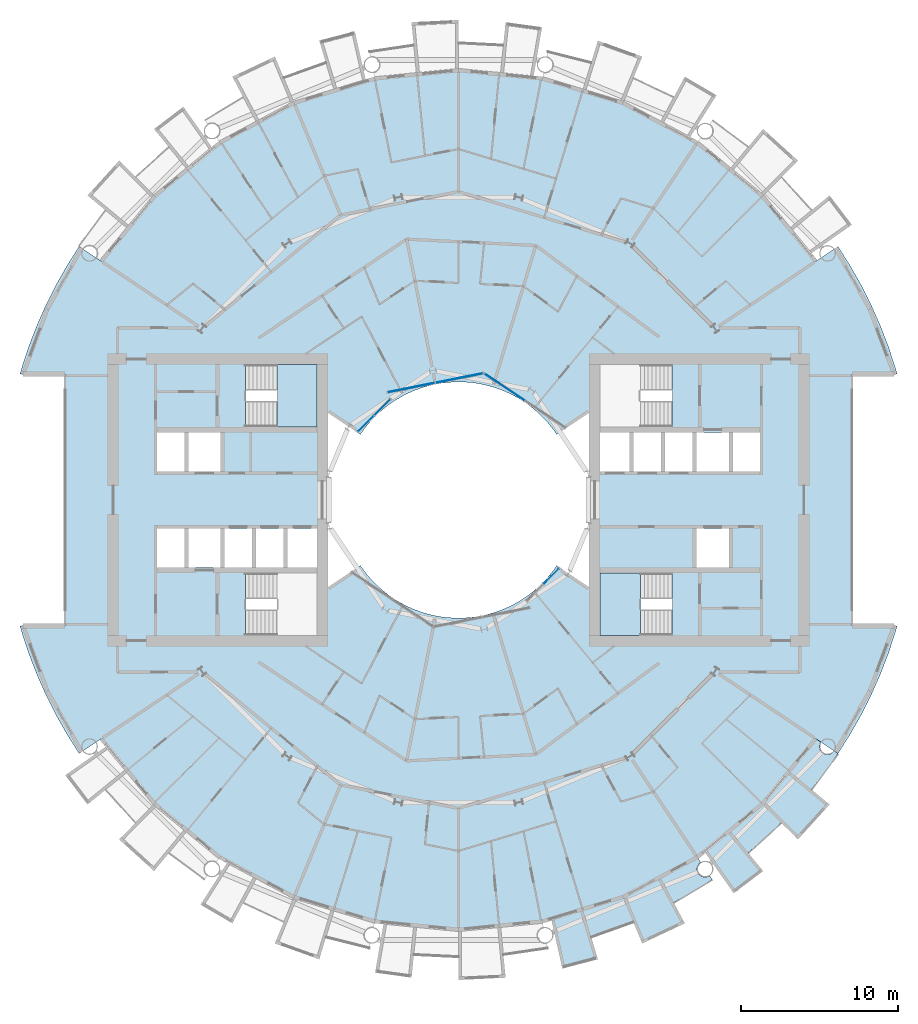
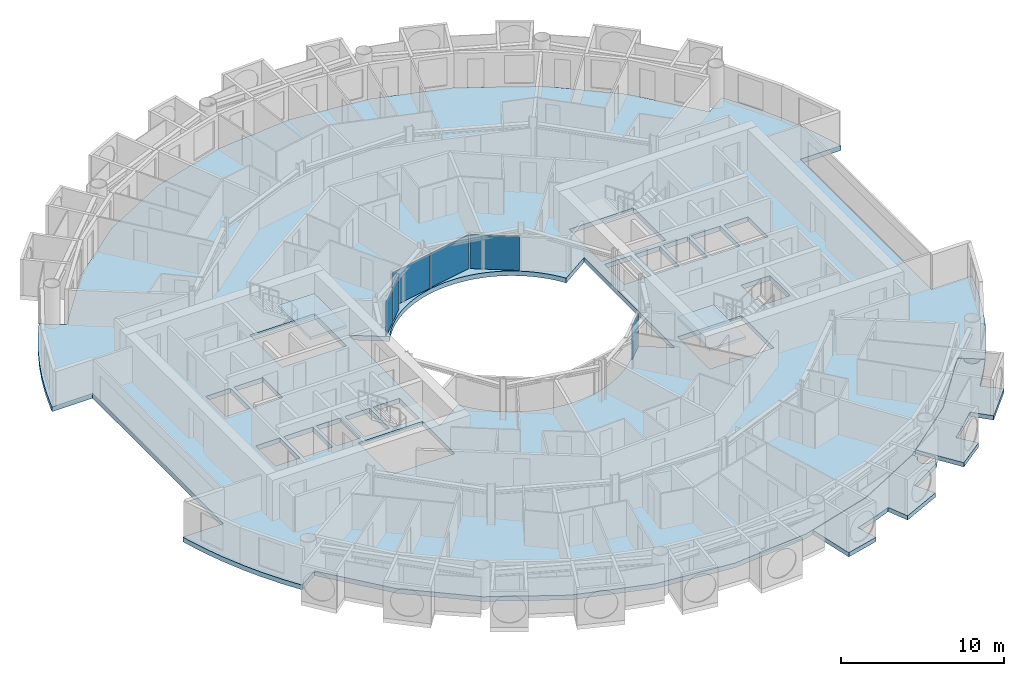
# One storey, part 10 of 25: 6 plates, 5 slabs, 6 elements without a shape of their own.
"""IFC4 building model written with IfcOpenShell, lengths in metres."""

from ifc_helpers import new_model, si_unit, direction, frame, origin, origin_2d, place, context, subcontext, project, spatial, polyline, rectangle, outline, extrude, material, layer, layer_set, type_object, element, aggregate, save


model = new_model("IFC4")

# Units and contexts
model_context = context("Model", 3, precision=1e-05, world=origin(), true_north=direction((0.0, 1.0)))
body_context = subcontext(model_context, "Body", "Model", "MODEL_VIEW")
ifc_project = project(units=[si_unit("LENGTHUNIT", "METRE"), si_unit("AREAUNIT", "SQUARE_METRE"), si_unit("VOLUMEUNIT", "CUBIC_METRE"), si_unit("PLANEANGLEUNIT", "RADIAN"), si_unit("MASSUNIT", "GRAM", prefix="KILO")], contexts=[model_context])

# Site, building, storey
site_placement = place(None, origin())
site = spatial("IfcSite", under=ifc_project, at=site_placement, CompositionType="ELEMENT")
building_placement = place(site_placement, origin())
building = spatial("IfcBuilding", under=site, at=building_placement, Name="Maasbend Ring Residences", CompositionType="ELEMENT")
storey_placement = place(building_placement, frame((0.0, 0.0, 94.10009765625)))
storey = spatial("IfcBuildingStorey", under=building, at=storey_placement, Name="L27", CompositionType="ELEMENT", Elevation=94.10009765625)

# Stair, slab
ifc_material_1 = material(Name="Concrete C40/50", Category="concrete")
stair_type = type_object("IfcStairType", Name="CORE STAIR 18 RISERS", PredefinedType="HALF_TURN_STAIR", material=ifc_material_1)
stair_1_placement = place(storey_placement, origin())
stair_1 = element("IfcStair", 1, at=stair_1_placement, inside=storey, type_object=stair_type, Name="L27 Exit stair ST-E2", PredefinedType="HALF_TURN_STAIR")
ifc_material_2 = material(Name="Concrete C40/50", Category="concrete")
ifc_layer_1 = layer(ifc_material_2, 0.199951171875)
ifc_layer_set_1 = layer_set([ifc_layer_1], Name="Concrete C40/50")
slab_type_1 = type_object("IfcSlabType", Name="CORE STAIR LANDING 200", PredefinedType="LANDING", material=ifc_layer_set_1)
slab_1_placement = place(storey_placement, frame((0.0, 0.0, 1.324951171875)))
slab_1 = element("IfcSlab", 2, at=slab_1_placement, type_object=slab_type_1, Name="ST-E2 landing 1", PredefinedType="LANDING", context=body_context, shape_type="SweptSolid", body=[
    extrude(outline(polyline([(11.550048828125, -4.64990234375), (9.0, -4.64990234375), (9.0, -8.60009765625), (11.550048828125, -8.60009765625), (11.550048828125, -4.64990234375)])), origin(), (0.0, 0.0, 1.0), 0.199951171875),
])
aggregate(stair_1, [slab_1])

stair_2_placement = place(storey_placement, origin())
stair_2 = element("IfcStair", 3, at=stair_2_placement, inside=storey, type_object=stair_type, Name="L27 Exit stair ST-W2", PredefinedType="HALF_TURN_STAIR")
slab_2_placement = place(storey_placement, frame((0.0, 0.0, 1.324951171875)))
slab_2 = element("IfcSlab", 4, at=slab_2_placement, type_object=slab_type_1, Name="ST-W2 landing 1", PredefinedType="LANDING", context=body_context, shape_type="SweptSolid", body=[
    extrude(outline(polyline([(-11.550048828125, 4.64990234375), (-9.0, 4.64990234375), (-9.0, 8.60009765625), (-11.550048828125, 8.60009765625), (-11.550048828125, 4.64990234375)])), origin(), (0.0, 0.0, 1.0), 0.199951171875),
])
aggregate(stair_2, [slab_2])

# Curtain wall, plate
ifc_material_3 = material(Name="Aluminium and clear glass", Category="aluminium")
ifc_layer_2 = layer(ifc_material_3, 0.179931640625)
ifc_layer_set_2 = layer_set([ifc_layer_2], Name="CW-W")
curtain_wall_type = type_object("IfcCurtainWallType", Name="CW-W", PredefinedType="NOTDEFINED", material=ifc_layer_set_2)
curtain_wall_1_placement = place(storey_placement, origin())
curtain_wall_1 = element("IfcCurtainWall", 5, at=curtain_wall_1_placement, inside=storey, type_object=curtain_wall_type, Name="Well curtain wall N1", PredefinedType="NOTDEFINED")
ifc_material_4 = material(Name="Glass clear laminated", Category="glass")
ifc_layer_3 = layer(ifc_material_4, 0.031982421875)
ifc_layer_set_3 = layer_set([ifc_layer_3], Name="CWP-W")
plate_type = type_object("IfcPlateType", Name="CWP-W", PredefinedType="CURTAIN_PANEL", material=ifc_layer_set_3)
plate_1_placement = place(storey_placement, frame((2.922119140625, 7.17578125, 0.0), z_axis=(0.0, 0.0, 1.0), x_axis=(-0.831469612303, 0.55557023302, 0.0)))
plate_1 = element("IfcPlate", 6, at=plate_1_placement, type_object=plate_type, Name="Glass panel well face", PredefinedType="CURTAIN_PANEL", context=body_context, shape_type="SweptSolid", body=[
    extrude(rectangle(XDim=3.053955078125, YDim=0.031982421875, at=origin_2d()), origin(), (0.0, 0.0, 1.0), 2.530029296875),
])
aggregate(curtain_wall_1, [plate_1])

# Curtain wall, plates
curtain_wall_2_placement = place(storey_placement, origin())
curtain_wall_2 = element("IfcCurtainWall", 7, at=curtain_wall_2_placement, inside=storey, type_object=curtain_wall_type, Name="Well curtain wall N2", PredefinedType="NOTDEFINED")
plate_2_placement = place(storey_placement, frame((0.04638671875, 7.747802734375, 0.0), z_axis=(0.0, 0.0, 1.0), x_axis=(-0.980785280403, -0.195090322016, 0.0)))
plate_2 = element("IfcPlate", 8, at=plate_2_placement, type_object=plate_type, Name="Glass panel well face", PredefinedType="CURTAIN_PANEL", context=body_context, shape_type="SweptSolid", body=[
    extrude(rectangle(XDim=3.053955078125, YDim=0.031982421875, at=origin_2d()), origin(), (0.0, 0.0, 1.0), 2.530029296875),
])
plate_3_placement = place(storey_placement, frame((-3.0078125, 7.140380859375, 0.0), z_axis=(0.0, 0.0, 1.0), x_axis=(-0.980785280403, -0.195090322016, 0.0)))
plate_3 = element("IfcPlate", 9, at=plate_3_placement, type_object=plate_type, Name="Glass panel well face", PredefinedType="CURTAIN_PANEL", context=body_context, shape_type="SweptSolid", body=[
    extrude(rectangle(XDim=3.053955078125, YDim=0.031982421875, at=origin_2d()), origin(), (0.0, 0.0, 1.0), 2.530029296875),
])
aggregate(curtain_wall_2, [plate_2, plate_3])

curtain_wall_3_placement = place(storey_placement, origin())
curtain_wall_3 = element("IfcCurtainWall", 10, at=curtain_wall_3_placement, inside=storey, type_object=curtain_wall_type, Name="Well curtain wall N3", PredefinedType="NOTDEFINED")
plate_4_placement = place(storey_placement, frame((-4.84375, 5.89013671875, 0.0), z_axis=(0.0, 0.0, 1.0), x_axis=(-0.707106781187, -0.707106781187, 0.0)))
plate_4 = element("IfcPlate", 11, at=plate_4_placement, type_object=plate_type, Name="Glass panel well face", PredefinedType="CURTAIN_PANEL", context=body_context, shape_type="SweptSolid", body=[
    extrude(rectangle(XDim=1.419677734375, YDim=0.031982421875, at=origin_2d()), origin(), (0.0, 0.0, 1.0), 2.530029296875),
])
plate_5_placement = place(storey_placement, frame((-5.89013671875, 4.84375, 0.0), z_axis=(0.0, 0.0, 1.0), x_axis=(-0.707106781187, -0.707106781187, 0.0)))
plate_5 = element("IfcPlate", 12, at=plate_5_placement, type_object=plate_type, Name="Glass panel well face", PredefinedType="CURTAIN_PANEL", context=body_context, shape_type="SweptSolid", body=[
    extrude(rectangle(XDim=1.419677734375, YDim=0.031982421875, at=origin_2d()), origin(), (0.0, 0.0, 1.0), 2.530029296875),
])
aggregate(curtain_wall_3, [plate_4, plate_5])

# Curtain wall, plate
curtain_wall_4_placement = place(storey_placement, origin())
curtain_wall_4 = element("IfcCurtainWall", 13, at=curtain_wall_4_placement, inside=storey, type_object=curtain_wall_type, Name="Well curtain wall S3", PredefinedType="NOTDEFINED")
plate_6_placement = place(storey_placement, frame((5.89013671875, -4.84375, 0.0), z_axis=(0.0, 0.0, 1.0), x_axis=(0.707106781187, 0.707106781187, 0.0)))
plate_6 = element("IfcPlate", 14, at=plate_6_placement, type_object=plate_type, Name="Glass panel well face", PredefinedType="CURTAIN_PANEL", context=body_context, shape_type="SweptSolid", body=[
    extrude(rectangle(XDim=1.419677734375, YDim=0.031982421875, at=origin_2d()), origin(), (0.0, 0.0, 1.0), 2.530029296875),
])
aggregate(curtain_wall_4, [plate_6])

# Slabs
ifc_material_5 = material(Name="Concrete C40/50", Category="concrete")
ifc_layer_4 = layer(ifc_material_5, 0.35009765625)
ifc_layer_set_4 = layer_set([ifc_layer_4], Name="Concrete C40/50")
slab_type_2 = type_object("IfcSlabType", Name="Post-tensioned flat plate 350", PredefinedType="FLOOR", material=ifc_layer_set_4)
slab_3_placement = place(storey_placement, frame((0.0, 0.0, -0.35009765625)))
element("IfcSlab", 15, at=slab_3_placement, inside=storey, type_object=slab_type_2, Name="Floor slab L27", PredefinedType="FLOOR", context=body_context, shape_type="SweptSolid", body=[
    extrude(outline(polyline([(24.8740234375, -14.908935546875), (25.57568359375, -13.67041015625), (26.2158203125, -12.399169921875), (26.79248046875, -11.097900390625), (27.3046875, -9.769775390625), (27.751220703125, -8.418212890625), (27.866943359375, -8.0), (25.0, -8.0), (25.0, 8.0), (27.866943359375, 8.0), (27.751220703125, 8.418212890625), (27.3046875, 9.769775390625), (26.79248046875, 11.097900390625), (26.2158203125, 12.399169921875), (25.57568359375, 13.67041015625), (24.8740234375, 14.908935546875), (24.112548828125, 16.111572265625), (22.69921875, 15.1669921875), (19.303955078125, 19.303955078125), (15.1669921875, 22.69921875), (10.447265625, 25.221923828125), (5.325927734375, 26.775390625), (0.0, 27.300048828125), (-5.325927734375, 26.775390625), (-10.447265625, 25.221923828125), (-15.1669921875, 22.69921875), (-19.303955078125, 19.303955078125), (-22.69921875, 15.1669921875), (-24.112548828125, 16.111572265625), (-24.8740234375, 14.908935546875), (-25.57568359375, 13.67041015625), (-26.2158203125, 12.399169921875), (-26.79248046875, 11.097900390625), (-27.3046875, 9.769775390625), (-27.751220703125, 8.418212890625), (-27.866943359375, 8.0), (-25.0, 8.0), (-25.0, -8.0), (-27.866943359375, -8.0), (-27.751220703125, -8.418212890625), (-27.3046875, -9.769775390625), (-26.79248046875, -11.097900390625), (-26.2158203125, -12.399169921875), (-25.57568359375, -13.67041015625), (-24.8740234375, -14.908935546875), (-24.112548828125, -16.111572265625), (-22.69921875, -15.1669921875), (-19.303955078125, -19.303955078125), (-15.1669921875, -22.69921875), (-10.447265625, -25.221923828125), (-5.325927734375, -26.775390625), (0.0, -27.300048828125), (5.325927734375, -26.775390625), (10.447265625, -25.221923828125), (15.1669921875, -22.69921875), (19.303955078125, -19.303955078125), (22.69921875, -15.1669921875), (24.112548828125, -16.111572265625), (24.8740234375, -14.908935546875)]), holes=[polyline([(17.425048828125, 4.27490234375), (19.14990234375, 4.27490234375), (19.14990234375, 1.824951171875), (17.425048828125, 1.824951171875), (17.425048828125, 4.27490234375)]), polyline([(15.125, 1.824951171875), (15.125, 4.27490234375), (17.175048828125, 4.27490234375), (17.175048828125, 1.824951171875), (15.125, 1.824951171875)]), polyline([(15.125, -4.27490234375), (15.125, -1.824951171875), (17.175048828125, -1.824951171875), (17.175048828125, -4.27490234375), (15.125, -4.27490234375)]), polyline([(13.125, 1.824951171875), (13.125, 4.27490234375), (14.875, 4.27490234375), (14.875, 1.824951171875), (13.125, 1.824951171875)]), polyline([(13.550048828125, 4.64990234375), (9.0, 4.64990234375), (9.0, 8.60009765625), (13.550048828125, 8.60009765625), (13.550048828125, 4.64990234375)]), polyline([(13.550048828125, -4.64990234375), (13.550048828125, -8.60009765625), (9.0, -8.60009765625), (9.0, -4.64990234375), (13.550048828125, -4.64990234375)]), polyline([(11.125, 1.824951171875), (11.125, 4.27490234375), (12.875, 4.27490234375), (12.875, 1.824951171875), (11.125, 1.824951171875)]), polyline([(9.0, 1.824951171875), (9.0, 4.27490234375), (10.875, 4.27490234375), (10.875, 1.824951171875), (9.0, 1.824951171875)]), polyline([(6.024169921875, 4.4677734375), (6.236083984375, 4.166748046875), (8.300048828125, 5.5458984375), (8.300048828125, -5.5458984375), (6.236083984375, -4.166748046875), (6.024169921875, -4.4677734375), (5.797607421875, -4.7578125), (5.55712890625, -5.03662109375), (5.30322265625, -5.30322265625), (5.03662109375, -5.55712890625), (4.7578125, -5.797607421875), (4.4677734375, -6.024169921875), (4.166748046875, -6.236083984375), (3.855712890625, -6.43310546875), (3.535400390625, -6.614501953125), (3.206787109375, -6.77978515625), (2.8701171875, -6.92919921875), (2.526611328125, -7.0615234375), (2.177001953125, -7.177001953125), (1.822509765625, -7.275146484375), (1.463134765625, -7.35595703125), (1.1005859375, -7.418701171875), (0.735107421875, -7.4638671875), (0.367919921875, -7.490966796875), (0.0, -7.5), (-0.367919921875, -7.490966796875), (-0.735107421875, -7.4638671875), (-1.1005859375, -7.418701171875), (-1.463134765625, -7.35595703125), (-1.822509765625, -7.275146484375), (-2.177001953125, -7.177001953125), (-2.526611328125, -7.0615234375), (-2.8701171875, -6.92919921875), (-3.206787109375, -6.77978515625), (-3.535400390625, -6.614501953125), (-3.855712890625, -6.43310546875), (-4.166748046875, -6.236083984375), (-4.4677734375, -6.024169921875), (-4.7578125, -5.797607421875), (-5.03662109375, -5.55712890625), (-5.30322265625, -5.30322265625), (-5.55712890625, -5.03662109375), (-5.797607421875, -4.7578125), (-6.024169921875, -4.4677734375), (-6.236083984375, -4.166748046875), (-8.300048828125, -5.5458984375), (-8.300048828125, 5.5458984375), (-6.236083984375, 4.166748046875), (-6.236083984375, 4.166748046875), (-6.024169921875, 4.4677734375), (-5.797607421875, 4.7578125), (-5.55712890625, 5.03662109375), (-5.30322265625, 5.30322265625), (-5.03662109375, 5.55712890625), (-4.7578125, 5.797607421875), (-4.4677734375, 6.024169921875), (-4.166748046875, 6.236083984375), (-3.855712890625, 6.43310546875), (-3.535400390625, 6.614501953125), (-3.206787109375, 6.77978515625), (-2.8701171875, 6.92919921875), (-2.526611328125, 7.0615234375), (-2.177001953125, 7.177001953125), (-1.822509765625, 7.275146484375), (-1.463134765625, 7.35595703125), (-1.1005859375, 7.418701171875), (-0.735107421875, 7.4638671875), (-0.367919921875, 7.490966796875), (0.0, 7.5), (0.367919921875, 7.490966796875), (0.735107421875, 7.4638671875), (1.1005859375, 7.418701171875), (1.463134765625, 7.35595703125), (1.822509765625, 7.275146484375), (2.177001953125, 7.177001953125), (2.526611328125, 7.0615234375), (2.8701171875, 6.92919921875), (3.206787109375, 6.77978515625), (3.535400390625, 6.614501953125), (3.855712890625, 6.43310546875), (4.166748046875, 6.236083984375), (4.4677734375, 6.024169921875), (4.7578125, 5.797607421875), (5.03662109375, 5.55712890625), (5.30322265625, 5.30322265625), (5.55712890625, 5.03662109375), (5.797607421875, 4.7578125), (6.024169921875, 4.4677734375)]), polyline([(-13.550048828125, 4.64990234375), (-13.550048828125, 8.60009765625), (-9.0, 8.60009765625), (-9.0, 4.64990234375), (-13.550048828125, 4.64990234375)]), polyline([(-13.550048828125, -8.60009765625), (-13.550048828125, -4.64990234375), (-9.0, -4.64990234375), (-9.0, -8.60009765625), (-13.550048828125, -8.60009765625)]), polyline([(-9.0, -1.824951171875), (-9.0, -4.27490234375), (-10.875, -4.27490234375), (-10.875, -1.824951171875), (-9.0, -1.824951171875)]), polyline([(-11.125, -1.824951171875), (-11.125, -4.27490234375), (-12.875, -4.27490234375), (-12.875, -1.824951171875), (-11.125, -1.824951171875)]), polyline([(-13.125, -1.824951171875), (-13.125, -4.27490234375), (-14.875, -4.27490234375), (-14.875, -1.824951171875), (-13.125, -1.824951171875)]), polyline([(-15.125, 4.27490234375), (-15.125, 1.824951171875), (-17.175048828125, 1.824951171875), (-17.175048828125, 4.27490234375), (-15.125, 4.27490234375)]), polyline([(-15.125, -1.824951171875), (-15.125, -4.27490234375), (-17.175048828125, -4.27490234375), (-17.175048828125, -1.824951171875), (-15.125, -1.824951171875)]), polyline([(-17.425048828125, -1.824951171875), (-17.425048828125, -4.27490234375), (-19.14990234375, -4.27490234375), (-19.14990234375, -1.824951171875), (-17.425048828125, -1.824951171875)]), polyline([(-17.425048828125, 4.27490234375), (-17.425048828125, 1.824951171875), (-19.14990234375, 1.824951171875), (-19.14990234375, 4.27490234375), (-17.425048828125, 4.27490234375)])]), origin(), (0.0, 0.0, 1.0), 0.35009765625),
])
ifc_material_6 = material(Name="Concrete C40/50", Category="concrete")
ifc_layer_5 = layer(ifc_material_6, 0.199951171875)
ifc_layer_set_5 = layer_set([ifc_layer_5], Name="Concrete C40/50")
slab_type_3 = type_object("IfcSlabType", Name="SL-LOGGIA", PredefinedType="FLOOR", material=ifc_layer_set_5)
slab_4_placement = place(storey_placement, frame((0.0, 0.0, -0.35009765625)))
element("IfcSlab", 16, at=slab_4_placement, inside=storey, type_object=slab_type_3, Name="Loggia floor 1", PredefinedType="FLOOR", context=body_context, shape_type="SweptSolid", body=[
    extrude(outline(polyline([(10.447021484375, -25.221923828125), (12.806884765625, -23.9609375), (15.1669921875, -22.698974609375), (15.1669921875, -22.698974609375), (15.1669921875, -22.698974609375), (15.385009765625, -23.02490234375), (15.375, -23.031982421875), (15.364013671875, -23.0390625), (15.35498046875, -23.047119140625), (15.344970703125, -23.054931640625), (15.3349609375, -23.06298828125), (15.325927734375, -23.071044921875), (15.31689453125, -23.0791015625), (15.30810546875, -23.087890625), (15.299072265625, -23.096923828125), (15.291015625, -23.10595703125), (15.281982421875, -23.115966796875), (15.27392578125, -23.125), (15.26708984375, -23.135009765625), (15.259033203125, -23.14501953125), (15.251953125, -23.155029296875), (15.2451171875, -23.1650390625), (15.238037109375, -23.176025390625), (15.23095703125, -23.18603515625), (15.22509765625, -23.197021484375), (15.218994140625, -23.2080078125), (15.212890625, -23.218994140625), (15.2080078125, -23.22998046875), (15.202880859375, -23.241943359375), (15.197998046875, -23.2529296875), (15.193115234375, -23.264892578125), (15.18896484375, -23.27587890625), (15.18505859375, -23.2880859375), (15.180908203125, -23.300048828125), (15.177978515625, -23.31201171875), (15.174072265625, -23.323974609375), (15.1708984375, -23.3359375), (15.1689453125, -23.347900390625), (15.1669921875, -23.361083984375), (15.1650390625, -23.373046875), (15.1630859375, -23.385009765625), (15.162109375, -23.39794921875), (15.159912109375, -23.409912109375), (15.159912109375, -23.422119140625), (15.158935546875, -23.43505859375), (15.158935546875, -23.447021484375), (15.158935546875, -23.4599609375), (15.159912109375, -23.471923828125), (15.159912109375, -23.485107421875), (15.162109375, -23.4970703125), (15.1630859375, -23.510009765625), (15.1650390625, -23.52197265625), (15.1669921875, -23.533935546875), (15.1689453125, -23.547119140625), (15.1708984375, -23.55908203125), (15.174072265625, -23.571044921875), (15.177978515625, -23.5830078125), (15.180908203125, -23.594970703125), (15.18505859375, -23.60693359375), (15.18896484375, -23.618896484375), (15.193115234375, -23.6298828125), (15.197998046875, -23.64208984375), (15.202880859375, -23.653076171875), (15.2080078125, -23.6650390625), (15.212890625, -23.676025390625), (15.218994140625, -23.68701171875), (15.22509765625, -23.697998046875), (15.23095703125, -23.708984375), (15.238037109375, -23.718994140625), (15.2451171875, -23.72998046875), (15.251953125, -23.739990234375), (15.259033203125, -23.75), (15.26708984375, -23.760009765625), (15.27392578125, -23.77001953125), (15.281982421875, -23.779052734375), (15.291015625, -23.7890625), (15.299072265625, -23.798095703125), (15.30810546875, -23.806884765625), (15.31689453125, -23.81494140625), (15.325927734375, -23.823974609375), (15.3349609375, -23.83203125), (15.344970703125, -23.840087890625), (15.35498046875, -23.847900390625), (15.364013671875, -23.85498046875), (15.375, -23.863037109375), (15.385009765625, -23.8701171875), (15.39501953125, -23.876953125), (15.406005859375, -23.883056640625), (15.4169921875, -23.888916015625), (15.427978515625, -23.89501953125), (15.43896484375, -23.90087890625), (15.449951171875, -23.906982421875), (15.4609375, -23.912109375), (15.472900390625, -23.9169921875), (15.48388671875, -23.9208984375), (15.49609375, -23.926025390625), (15.508056640625, -23.929931640625), (15.52001953125, -23.93408203125), (15.531982421875, -23.93701171875), (15.5439453125, -23.93994140625), (15.555908203125, -23.943115234375), (15.568115234375, -23.946044921875), (15.580078125, -23.947998046875), (15.593017578125, -23.949951171875), (15.60498046875, -23.951904296875), (15.616943359375, -23.952880859375), (15.6298828125, -23.9541015625), (15.64208984375, -23.955078125), (15.655029296875, -23.955078125), (15.6669921875, -23.955078125), (15.679931640625, -23.955078125), (15.69189453125, -23.955078125), (15.7041015625, -23.9541015625), (15.717041015625, -23.952880859375), (15.72900390625, -23.951904296875), (15.741943359375, -23.949951171875), (15.75390625, -23.947998046875), (15.76611328125, -23.946044921875), (15.778076171875, -23.943115234375), (15.791015625, -23.93994140625), (15.802978515625, -23.93701171875), (15.81494140625, -23.93408203125), (15.825927734375, -23.929931640625), (15.837890625, -23.926025390625), (15.85009765625, -23.9208984375), (15.862060546875, -23.9169921875), (15.873046875, -23.912109375), (15.884033203125, -23.906982421875), (15.89599609375, -23.90087890625), (15.906982421875, -23.89501953125), (15.9169921875, -23.888916015625), (15.927978515625, -23.883056640625), (15.93896484375, -23.876953125), (15.948974609375, -23.8701171875), (16.112060546875, -24.113037109375), (16.112060546875, -24.113037109375), (16.112060546875, -24.113037109375), (15.31396484375, -24.626953125), (15.31396484375, -24.626953125), (14.5, -25.114990234375), (14.5, -25.114990234375), (13.6708984375, -25.574951171875), (13.6708984375, -25.575927734375), (13.6708984375, -25.575927734375), (13.6708984375, -25.575927734375), (13.6708984375, -25.575927734375), (13.6708984375, -25.575927734375), (13.6708984375, -25.575927734375), (13.6708984375, -25.575927734375), (13.6708984375, -25.575927734375), (13.6708984375, -25.575927734375), (13.6708984375, -25.575927734375), (13.6708984375, -25.575927734375), (13.6708984375, -25.575927734375), (13.6708984375, -25.575927734375), (13.6708984375, -25.575927734375), (13.6708984375, -25.575927734375), (13.6708984375, -25.575927734375), (14.3779296875, -26.89892578125), (14.3779296875, -26.89892578125), (14.3779296875, -26.89892578125), (11.672119140625, -28.177978515625), (11.672119140625, -28.177978515625), (11.672119140625, -28.177978515625), (11.097900390625, -26.79296875), (11.097900390625, -26.79296875), (11.097900390625, -26.79296875), (11.097900390625, -26.79296875), (11.097900390625, -26.79296875), (11.097900390625, -26.79296875), (11.097900390625, -26.79296875), (11.097900390625, -26.79296875), (11.097900390625, -26.79296875), (11.097900390625, -26.79296875), (11.097900390625, -26.79296875), (11.097900390625, -26.79296875), (11.097900390625, -26.79296875), (11.097900390625, -26.79296875), (11.096923828125, -26.79296875), (11.096923828125, -26.79296875), (11.096923828125, -26.79296875), (10.215087890625, -27.14111328125), (10.215087890625, -27.14111328125), (9.322021484375, -27.4609375), (9.322021484375, -27.4609375), (8.4189453125, -27.7509765625), (8.4189453125, -27.7509765625), (8.4189453125, -27.7509765625), (8.4189453125, -27.7509765625), (8.4189453125, -27.7509765625), (8.4189453125, -27.7509765625), (8.41796875, -27.7509765625), (8.41796875, -27.7509765625), (8.41796875, -27.7509765625), (8.41796875, -27.7509765625), (8.41796875, -27.7509765625), (8.41796875, -27.751953125), (8.41796875, -27.751953125), (8.41796875, -27.751953125), (8.41796875, -27.751953125), (8.41796875, -27.751953125), (8.41796875, -27.751953125), (8.85400390625, -29.18701171875), (8.85400390625, -29.18701171875), (8.85400390625, -29.18701171875), (6.593994140625, -29.779052734375), (6.593994140625, -29.779052734375), (6.593994140625, -29.779052734375), (5.89111328125, -26.60400390625), (5.89111328125, -26.60400390625), (5.89111328125, -26.60400390625), (7.886962890625, -25.9990234375), (10.447021484375, -25.221923828125), (10.447021484375, -25.221923828125), (10.447021484375, -25.221923828125)])), origin(), (0.0, 0.0, 1.0), 0.320068359375),
])
slab_5_placement = place(storey_placement, frame((0.0, 0.0, -0.35009765625)))
element("IfcSlab", 17, at=slab_5_placement, inside=storey, type_object=slab_type_3, Name="Loggia floor 4", PredefinedType="FLOOR", context=body_context, shape_type="SweptSolid", body=[
    extrude(outline(polyline([(19.303955078125, -19.303955078125), (21.001953125, -17.236083984375), (22.698974609375, -15.1669921875), (22.698974609375, -15.1669921875), (22.698974609375, -15.1669921875), (23.02490234375, -15.385009765625), (23.02490234375, -15.385009765625), (23.01806640625, -15.39501953125), (23.011962890625, -15.406005859375), (23.0048828125, -15.4169921875), (22.9990234375, -15.427978515625), (22.993896484375, -15.43896484375), (22.988037109375, -15.449951171875), (22.98291015625, -15.4609375), (22.97802734375, -15.472900390625), (22.972900390625, -15.48388671875), (22.968994140625, -15.49609375), (22.965087890625, -15.508056640625), (22.9609375, -15.52001953125), (22.9580078125, -15.531982421875), (22.955078125, -15.5439453125), (22.951904296875, -15.555908203125), (22.948974609375, -15.568115234375), (22.947021484375, -15.580078125), (22.945068359375, -15.593017578125), (22.943115234375, -15.60498046875), (22.94189453125, -15.616943359375), (22.94091796875, -15.6298828125), (22.93994140625, -15.64208984375), (22.93994140625, -15.655029296875), (22.93896484375, -15.6669921875), (22.93994140625, -15.679931640625), (22.93994140625, -15.69189453125), (22.94091796875, -15.7041015625), (22.94189453125, -15.717041015625), (22.943115234375, -15.72900390625), (22.945068359375, -15.741943359375), (22.947021484375, -15.75390625), (22.948974609375, -15.76611328125), (22.951904296875, -15.778076171875), (22.955078125, -15.791015625), (22.9580078125, -15.802978515625), (22.9609375, -15.81494140625), (22.965087890625, -15.825927734375), (22.968994140625, -15.837890625), (22.972900390625, -15.85009765625), (22.97802734375, -15.862060546875), (22.98291015625, -15.873046875), (22.988037109375, -15.884033203125), (22.993896484375, -15.89599609375), (22.9990234375, -15.906982421875), (23.0048828125, -15.9169921875), (23.011962890625, -15.927978515625), (23.01806640625, -15.93896484375), (23.02490234375, -15.948974609375), (23.031982421875, -15.9599609375), (23.0390625, -15.969970703125), (23.047119140625, -15.97998046875), (23.054931640625, -15.989013671875), (23.06298828125, -15.9990234375), (23.071044921875, -16.008056640625), (23.0791015625, -16.01708984375), (23.087890625, -16.02587890625), (23.096923828125, -16.034912109375), (23.10595703125, -16.0439453125), (23.115966796875, -16.052001953125), (23.125, -16.06005859375), (23.135009765625, -16.068115234375), (23.14501953125, -16.074951171875), (23.155029296875, -16.08203125), (23.1650390625, -16.089111328125), (23.176025390625, -16.095947265625), (23.18603515625, -16.10302734375), (23.197021484375, -16.10888671875), (23.2080078125, -16.114990234375), (23.218994140625, -16.12109375), (23.22998046875, -16.1259765625), (23.241943359375, -16.132080078125), (23.2529296875, -16.135986328125), (23.264892578125, -16.14111328125), (23.27587890625, -16.14501953125), (23.2880859375, -16.14892578125), (23.300048828125, -16.153076171875), (23.31201171875, -16.156982421875), (23.323974609375, -16.159912109375), (23.3359375, -16.1630859375), (23.347900390625, -16.1650390625), (23.361083984375, -16.16796875), (23.373046875, -16.169921875), (23.385009765625, -16.1708984375), (23.39794921875, -16.173095703125), (23.409912109375, -16.174072265625), (23.422119140625, -16.174072265625), (23.43505859375, -16.175048828125), (23.447021484375, -16.175048828125), (23.4599609375, -16.175048828125), (23.471923828125, -16.174072265625), (23.485107421875, -16.174072265625), (23.4970703125, -16.173095703125), (23.510009765625, -16.1708984375), (23.52197265625, -16.169921875), (23.533935546875, -16.16796875), (23.547119140625, -16.1650390625), (23.55908203125, -16.1630859375), (23.571044921875, -16.159912109375), (23.5830078125, -16.156982421875), (23.594970703125, -16.153076171875), (23.60693359375, -16.14892578125), (23.618896484375, -16.14501953125), (23.6298828125, -16.14111328125), (23.64208984375, -16.135986328125), (23.653076171875, -16.132080078125), (23.6650390625, -16.1259765625), (23.676025390625, -16.12109375), (23.68701171875, -16.114990234375), (23.697998046875, -16.10888671875), (23.708984375, -16.10302734375), (23.718994140625, -16.095947265625), (23.72998046875, -16.089111328125), (23.739990234375, -16.08203125), (23.75, -16.074951171875), (23.760009765625, -16.068115234375), (23.77001953125, -16.06005859375), (23.779052734375, -16.052001953125), (23.7890625, -16.0439453125), (23.798095703125, -16.034912109375), (23.806884765625, -16.02587890625), (23.81494140625, -16.01708984375), (23.823974609375, -16.008056640625), (23.83203125, -15.9990234375), (23.840087890625, -15.989013671875), (23.847900390625, -15.97998046875), (23.85498046875, -15.969970703125), (23.863037109375, -15.9599609375), (23.8701171875, -15.948974609375), (23.8701171875, -15.948974609375), (24.113037109375, -16.112060546875), (24.113037109375, -16.112060546875), (24.113037109375, -16.112060546875), (23.572998046875, -16.89208984375), (23.572998046875, -16.89208984375), (23.007080078125, -17.654052734375), (23.007080078125, -17.654052734375), (22.41796875, -18.39697265625), (22.41796875, -18.39697265625), (22.41796875, -18.39697265625), (22.41796875, -18.39697265625), (22.41796875, -18.39697265625), (22.41796875, -18.39697265625), (22.41796875, -18.39697265625), (22.41796875, -18.39697265625), (22.41796875, -18.39697265625), (22.41796875, -18.39697265625), (22.41796875, -18.39697265625), (22.41796875, -18.39794921875), (22.41796875, -18.39794921875), (22.41796875, -18.39794921875), (22.41796875, -18.39794921875), (22.41796875, -18.39794921875), (22.41796875, -18.39794921875), (23.576904296875, -19.34912109375), (23.576904296875, -19.34912109375), (23.576904296875, -19.34912109375), (21.56689453125, -21.56689453125), (21.56689453125, -21.56689453125), (21.56689453125, -21.56689453125), (20.506103515625, -20.506103515625), (20.506103515625, -20.506103515625), (20.506103515625, -20.506103515625), (20.506103515625, -20.506103515625), (20.506103515625, -20.506103515625), (20.506103515625, -20.506103515625), (20.506103515625, -20.506103515625), (20.506103515625, -20.506103515625), (20.506103515625, -20.506103515625), (20.506103515625, -20.506103515625), (20.506103515625, -20.506103515625), (20.506103515625, -20.506103515625), (20.506103515625, -20.506103515625), (20.506103515625, -20.506103515625), (20.506103515625, -20.506103515625), (20.506103515625, -20.506103515625), (20.506103515625, -20.506103515625), (19.823974609375, -21.166015625), (19.823974609375, -21.166015625), (19.12109375, -21.802978515625), (19.12109375, -21.802978515625), (18.39794921875, -22.4169921875), (18.39794921875, -22.4169921875), (18.39794921875, -22.4169921875), (18.39794921875, -22.4169921875), (18.39794921875, -22.4169921875), (18.39794921875, -22.4169921875), (18.39794921875, -22.4169921875), (18.39794921875, -22.4169921875), (18.39794921875, -22.4169921875), (18.39794921875, -22.4169921875), (18.39794921875, -22.4169921875), (18.39794921875, -22.4169921875), (18.39794921875, -22.41796875), (18.39794921875, -22.41796875), (18.39794921875, -22.41796875), (18.39794921875, -22.41796875), (18.39794921875, -22.41796875), (19.34912109375, -23.576904296875), (19.34912109375, -23.576904296875), (19.34912109375, -23.576904296875), (17.488037109375, -24.989013671875), (17.488037109375, -24.989013671875), (17.488037109375, -24.989013671875), (15.623046875, -22.324951171875), (15.623046875, -22.324951171875), (15.623046875, -22.324951171875), (17.236083984375, -21.001953125), (19.303955078125, -19.303955078125), (19.303955078125, -19.303955078125), (19.303955078125, -19.303955078125)])), origin(), (0.0, 0.0, 1.0), 0.320068359375),
])

save(model, "model.ifc")
